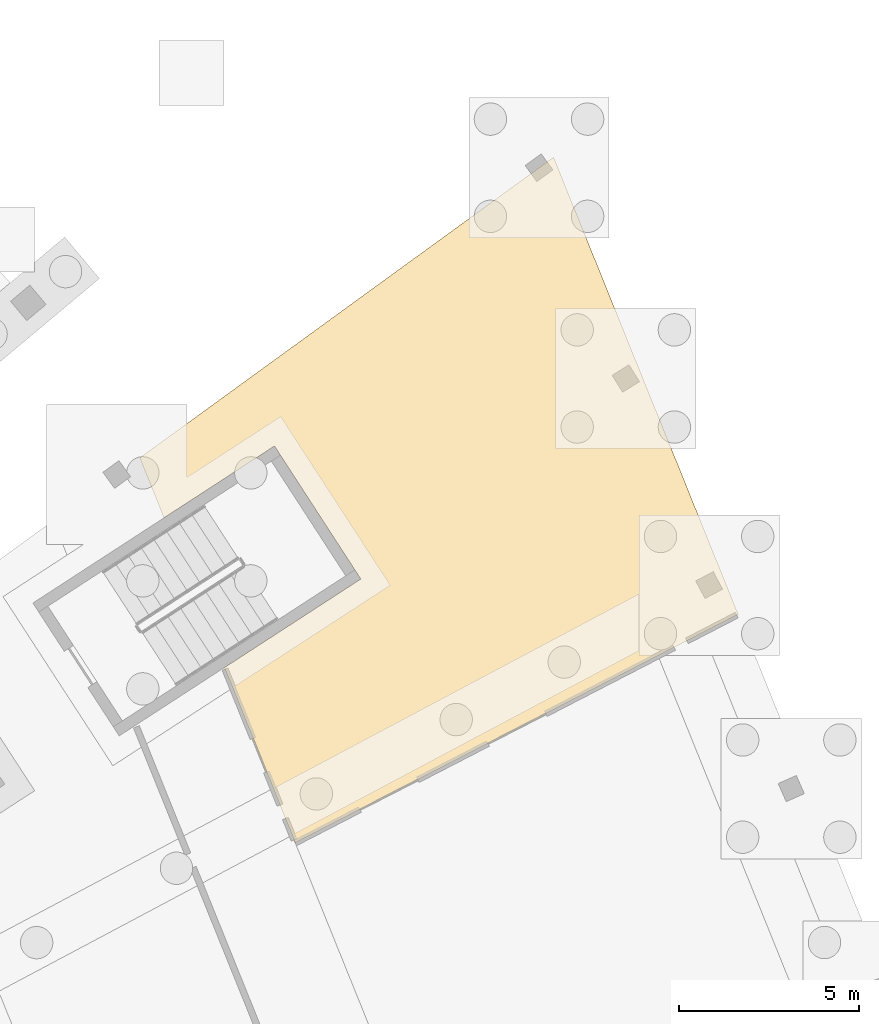
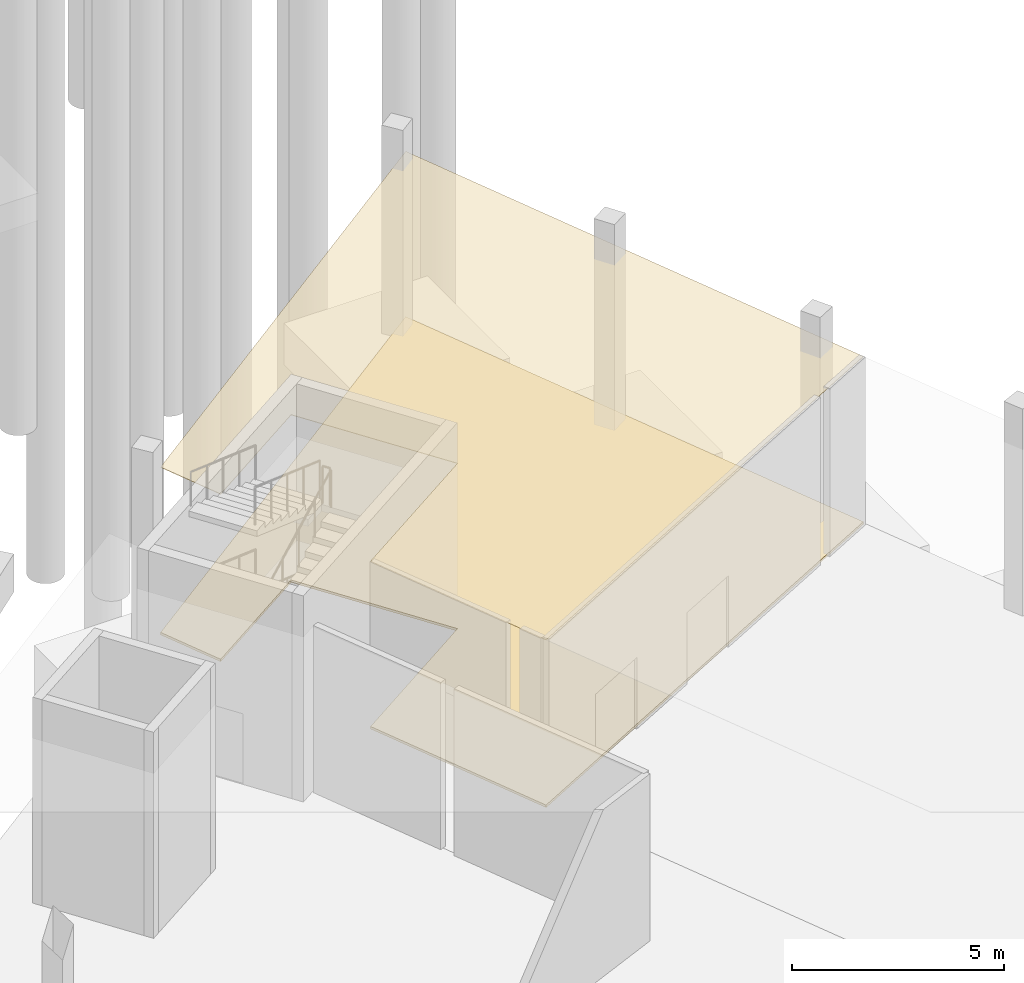
# One storey, part 59 of 66: 2 coverings.
"""IFC4 building model written with IfcOpenShell, lengths in metres."""

from ifc_helpers import new_model, si_unit, direction, frame, origin, place, context, subcontext, project, spatial, polyline, outline, extrude, material, layer, layer_set, type_object, element, save


model = new_model("IFC4")

# Units and contexts
model_context = context("Model", 3, precision=1e-05, world=origin(), true_north=direction((0.0, 1.0)))
body_context = subcontext(model_context, "Body", "Model", "MODEL_VIEW")
ifc_project = project(units=[si_unit("LENGTHUNIT", "METRE"), si_unit("AREAUNIT", "SQUARE_METRE"), si_unit("VOLUMEUNIT", "CUBIC_METRE"), si_unit("PLANEANGLEUNIT", "RADIAN"), si_unit("MASSUNIT", "GRAM", prefix="KILO")], contexts=[model_context])

# Site, building, storey
site_placement = place(None, origin())
site = spatial("IfcSite", under=ifc_project, at=site_placement, CompositionType="ELEMENT")
building_placement = place(site_placement, origin())
building = spatial("IfcBuilding", under=site, at=building_placement, Name="Lunette Opera House", CompositionType="ELEMENT")
storey_placement = place(building_placement, frame((0.0, 0.0, -6.0)))
storey = spatial("IfcBuildingStorey", under=building, at=storey_placement, Name="B1", CompositionType="ELEMENT", Elevation=-6.0)

# Coverings
ifc_material_1 = material(Name="Cement screed")
ifc_layer_1 = layer(ifc_material_1, 0.070068359375)
ifc_layer_set_1 = layer_set([ifc_layer_1], Name="Cement screed")
covering_type_1 = type_object("IfcCoveringType", Name="SCREED FLOOR FINISH 70", PredefinedType="FLOORING", material=ifc_layer_set_1)
covering_1_placement = place(storey_placement, origin())
element("IfcCovering", 1, at=covering_1_placement, inside=storey, type_object=covering_type_1, Name="Floor finish Studio Understage Store", PredefinedType="FLOORING", context=body_context, shape_type="SweptSolid", body=[
    extrude(outline(polyline([(159.6669921875, 38.721923828125), (163.452880859375, 41.180908203125), (161.056884765625, 44.8720703125), (157.988037109375, 42.87890625), (157.31396484375, 44.547119140625), (168.81201171875, 52.90087890625), (173.943115234375, 40.199951171875), (161.635009765625, 33.85107421875), (159.6669921875, 38.721923828125)])), origin(), (0.0, 0.0, 1.0), 0.070068359375),
])
ifc_material_2 = material(Name="Mineral fibre board")
ifc_layer_2 = layer(ifc_material_2, 0.014892578125)
ifc_layer_set_2 = layer_set([ifc_layer_2], Name="Mineral fibre board")
covering_type_2 = type_object("IfcCoveringType", Name="SUSPENDED ACOUSTIC CEILING 15", PredefinedType="CEILING", material=ifc_layer_set_2)
covering_2_placement = place(storey_placement, frame((0.0, 0.0, 4.81494140625)))
element("IfcCovering", 2, at=covering_2_placement, inside=storey, type_object=covering_type_2, Name="Ceiling Studio Understage Store", PredefinedType="CEILING", context=body_context, shape_type="SweptSolid", body=[
    extrude(outline(polyline([(159.6669921875, 38.721923828125), (163.452880859375, 41.180908203125), (161.056884765625, 44.8720703125), (157.988037109375, 42.87890625), (157.31396484375, 44.547119140625), (168.81201171875, 52.90087890625), (173.943115234375, 40.199951171875), (161.635009765625, 33.85107421875), (159.6669921875, 38.721923828125)])), origin(), (0.0, 0.0, 1.0), 0.01513671875),
])

save(model, "model.ifc")
